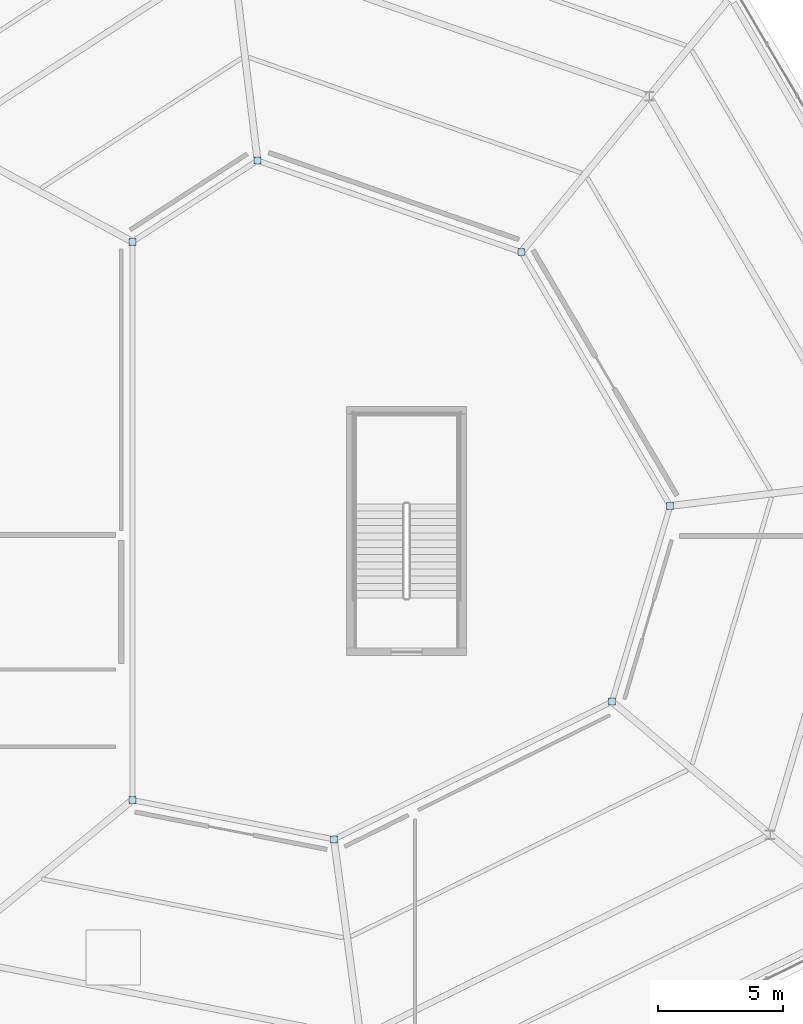
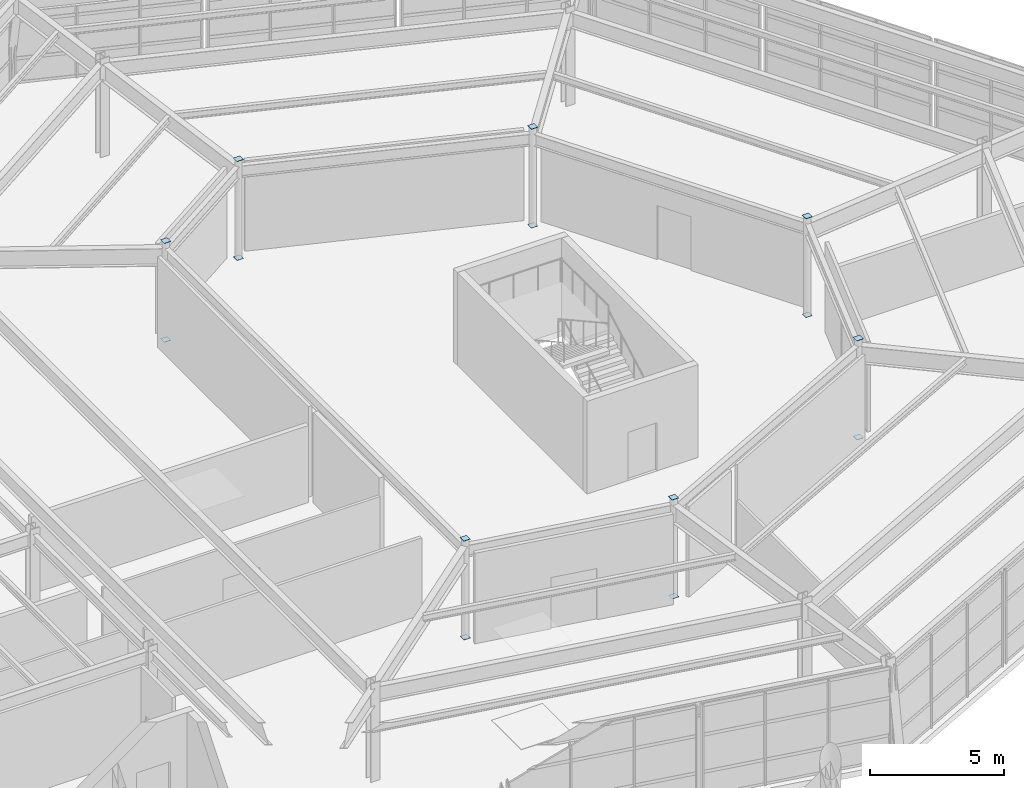
# One storey, part 68 of 88: 14 plates.
"""IFC4 building model written with IfcOpenShell, lengths in metres."""

from ifc_helpers import new_model, si_unit, direction, frame, origin, origin_2d, place, context, subcontext, project, spatial, rectangle, extrude, material, layer, layer_set, type_object, element, save


model = new_model("IFC4")

# Units and contexts
model_context = context("Model", 3, precision=1e-05, world=origin(), true_north=direction((0.0, 1.0)))
body_context = subcontext(model_context, "Body", "Model", "MODEL_VIEW")
ifc_project = project(units=[si_unit("LENGTHUNIT", "METRE"), si_unit("AREAUNIT", "SQUARE_METRE"), si_unit("VOLUMEUNIT", "CUBIC_METRE"), si_unit("PLANEANGLEUNIT", "RADIAN"), si_unit("MASSUNIT", "GRAM", prefix="KILO")], contexts=[model_context])

# Site, building, storey
site_placement = place(None, origin())
site = spatial("IfcSite", under=ifc_project, at=site_placement, CompositionType="ELEMENT")
building_placement = place(site_placement, origin())
building = spatial("IfcBuilding", under=site, at=building_placement, Name="Sarnbrook Museum", CompositionType="ELEMENT")
storey_placement = place(building_placement, frame((0.0, 0.0, 10.10009765625)))
storey = spatial("IfcBuildingStorey", under=building, at=storey_placement, Name="L02", CompositionType="ELEMENT", Elevation=10.10009765625)

# Plates
ifc_material = material(Name="Structural Steel Grade 350L0 (AS/NZS 3678, fy = 340 MPa for 20 < t <= 40 mm)", Category="steel")
ifc_layer = layer(ifc_material, 0.01611328125)
ifc_layer_set = layer_set([ifc_layer], Name="Structural Steel Grade 350L0 (AS/NZS 3678, fy = 340 MPa for 20 < t <= 40 mm)")
plate_type = type_object("IfcPlateType", Name="EndCapPlate_CAP273", PredefinedType="USERDEFINED", material=ifc_layer_set)
for number, where, z_axis, x_axis, name in (
    (1, (132.800048828125, 74.405029296875, -0.01611328125), (0.0, 0.0, 1.0), (1.0, 0.0, 0.0), "Hollow End Cap Plate COL:L02:V1R2-0-1"),
    (2, (132.800048828125, 74.405029296875, 4.499755859375), (0.0, 0.0, 1.0), (1.0, 0.0, 0.0), "Hollow End Cap Plate COL:L02:V1R2-0-2"),
    (3, (140.88720703125, 72.828857421875, -0.01611328125), (0.0, 0.0, 1.0), (1.0, 0.0, 0.0), "Hollow End Cap Plate COL:L02:V1R2-1-1"),
    (4, (140.88720703125, 72.828857421875, 4.499755859375), (0.0, 0.0, 1.0), (1.0, 0.0, 0.0), "Hollow End Cap Plate COL:L02:V1R2-1-2"),
    (5, (152.05029296875, 78.356201171875, -0.01611328125), (0.0, 0.0, 1.0), (1.0, 0.0, 0.0), "Hollow End Cap Plate COL:L02:V1R2-2-1"),
    (6, (152.05029296875, 78.356201171875, 4.499755859375), (0.0, 0.0, 1.0), (1.0, 0.0, 0.0), "Hollow End Cap Plate COL:L02:V1R2-2-2"),
    (7, (154.382080078125, 86.210205078125, -0.01611328125), (0.0, 0.0, 1.0), (1.0, 0.0, 0.0), "Hollow End Cap Plate COL:L02:V1R2-3-1"),
    (8, (154.382080078125, 86.210205078125, 4.499755859375), (0.0, 0.0, 1.0), (1.0, 0.0, 0.0), "Hollow End Cap Plate COL:L02:V1R2-3-2"),
    (9, (148.40576171875, 96.39599609375, -0.01611328125), (0.0, 0.0, 1.0), (1.0, 0.0, 0.0), "Hollow End Cap Plate COL:L02:V1R2-4-1"),
    (10, (148.40576171875, 96.39599609375, 4.499755859375), (0.0, 0.0, 1.0), (1.0, 0.0, 0.0), "Hollow End Cap Plate COL:L02:V1R2-4-2"),
    (11, (137.822509765625, 100.07080078125, -0.01611328125), (0.0, 0.0, 1.0), (1.0, 0.0, 0.0), "Hollow End Cap Plate COL:L02:V1R2-5-1"),
    (12, (137.822509765625, 100.07080078125, 4.499755859375), (0.0, 0.0, 1.0), (1.0, 0.0, 0.0), "Hollow End Cap Plate COL:L02:V1R2-5-2"),
    (13, (132.800048828125, 96.81201171875, -0.01611328125), (0.0, 0.0, 1.0), (1.0, 0.0, 0.0), "Hollow End Cap Plate COL:L02:V1R2-6-1"),
    (14, (132.800048828125, 96.81201171875, 4.499755859375), (0.0, 0.0, 1.0), (1.0, 0.0, 0.0), "Hollow End Cap Plate COL:L02:V1R2-6-2"),
):
    element("IfcPlate", number, at=place(storey_placement, frame(where, z_axis=z_axis, x_axis=x_axis)), inside=storey, type_object=plate_type, Name=name, ObjectType="END CAP PLATE", PredefinedType="USERDEFINED", context=body_context, shape_type="SweptSolid", body=[
        extrude(rectangle(XDim=0.280029296875, YDim=0.280029296875, at=origin_2d()), origin(), (0.0, 0.0, 1.0), 0.01611328125),
    ])

save(model, "model.ifc")
